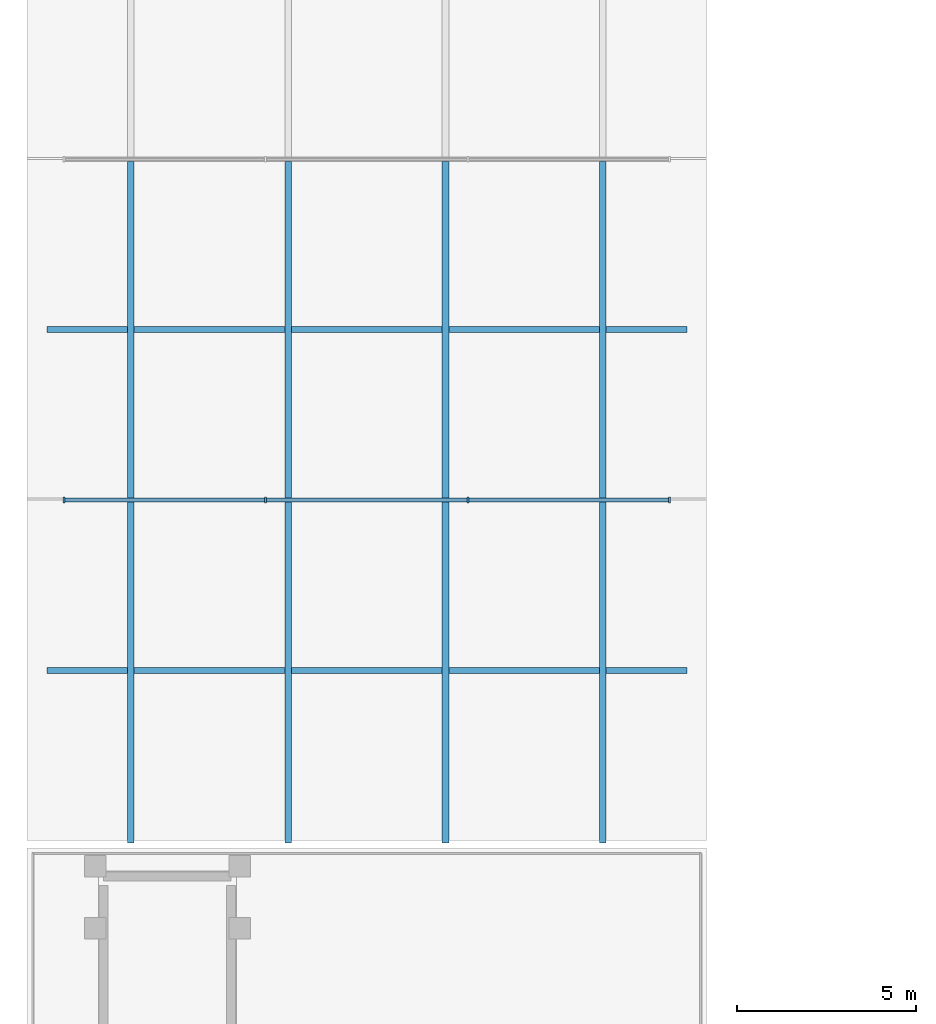
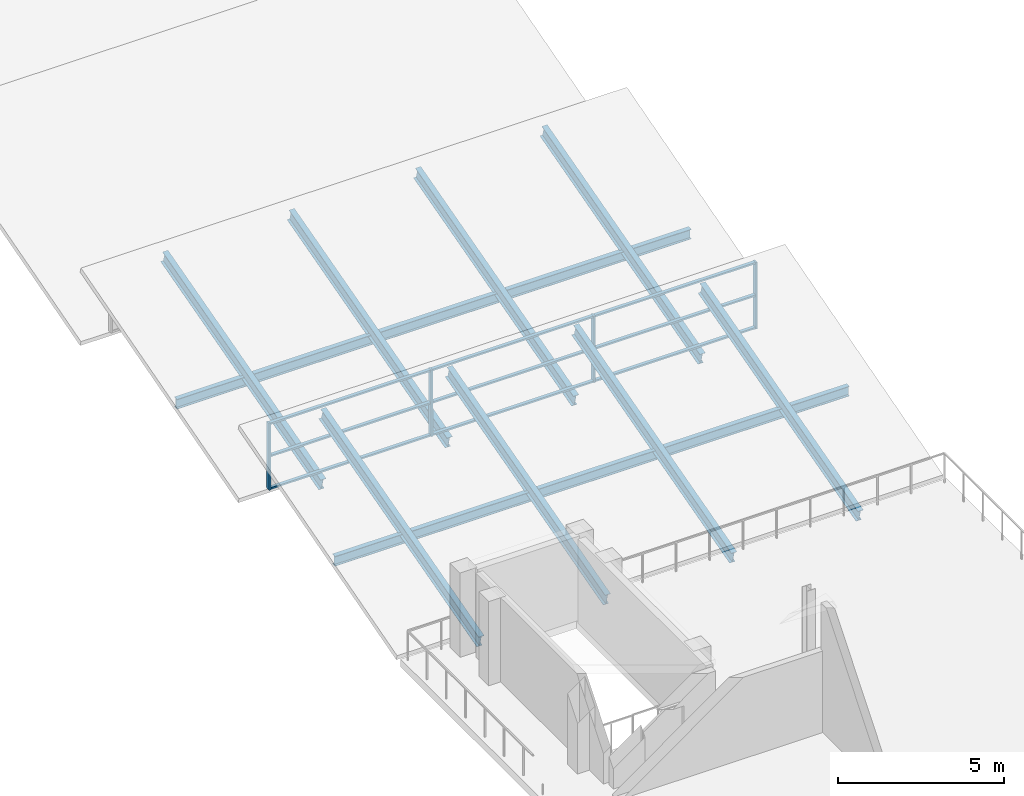
# One storey, part 22 of 53: 23 members, 1 element without a shape of its own.
"""IFC4 building model written with IfcOpenShell, lengths in metres."""

import ifcopenshell
import ifcopenshell.guid

model = None  # the IFC model being written
_history = None  # IfcOwnerHistory: only IFC2X3 demands one
_inside = {}  # id of a spatial element -> (the spatial element, [elements in it])
_under = {}  # id of a project, library or spatial element -> (it, [spatial elements below it])
_declared = {}  # id of a project -> (the project, [libraries it declares])
_typed = {}  # id of a type object -> (the type object, [elements of that type])
_made_of = {}  # id of a material, layer set ... -> (it, [elements and type objects made of it])


def new_model(schema):
    """Start an empty IFC model of exactly this schema.

    Asked for "IFC4X3", IfcOpenShell would pick the latest addendum, in which some entities
    have other attributes; the version numbers below select the first issue.
    IFC2X3 requires an IfcOwnerHistory on every rooted entity: one is made here for all.
    """
    global model, _history
    if schema == "IFC4X3":
        model = ifcopenshell.file(schema_version=(4, 3, 0, 0))
    else:
        model = ifcopenshell.file(schema=schema)
    _inside.clear()
    _under.clear()
    _declared.clear()
    _typed.clear()
    _made_of.clear()
    _history = None
    if model.schema == "IFC2X3":
        org = make("IfcOrganization", Name="unknown")
        user = make(
            "IfcPersonAndOrganization",
            ThePerson=make("IfcPerson", FamilyName="unknown"),
            TheOrganization=org,
        )
        app = make(
            "IfcApplication",
            ApplicationDeveloper=org,
            Version="unknown",
            ApplicationFullName="unknown",
            ApplicationIdentifier="unknown",
        )
        _history = make(
            "IfcOwnerHistory",
            OwningUser=user,
            OwningApplication=app,
            ChangeAction="ADDED",
            CreationDate=0,
        )
    return model


def make(cls, **values):
    """One entity of the class cls with the attributes given. An attribute that is None is left unset."""
    return model.create_entity(
        cls, **{name: value for name, value in values.items() if value is not None}
    )


def rooted(cls, **values):
    """An entity with a GlobalId (a new one), such as an element, a storey or a relation."""
    return make(cls, GlobalId=ifcopenshell.guid.new(), OwnerHistory=_history, **values)


def si_unit(unit_type, name, prefix=None):
    """IfcSIUnit, for example si_unit("LENGTHUNIT", "METRE", prefix="MILLI")."""
    return make("IfcSIUnit", UnitType=unit_type, Prefix=prefix, Name=name)


def assignment(units):
    """IfcUnitAssignment: the units of a project."""
    return None if units is None else make("IfcUnitAssignment", Units=units)


def point(xyz):
    """IfcCartesianPoint."""
    return None if xyz is None else make("IfcCartesianPoint", Coordinates=xyz)


def direction(xyz):
    """IfcDirection."""
    return None if xyz is None else make("IfcDirection", DirectionRatios=xyz)


def frame(location, z_axis=None, x_axis=None):
    """IfcAxis2Placement3D, a coordinate frame: its origin and axes. An axis left out is left unset."""
    return make(
        "IfcAxis2Placement3D",
        Location=point(location),
        Axis=direction(z_axis),
        RefDirection=direction(x_axis),
    )


def frame_2d(location, x_axis=None):
    """IfcAxis2Placement2D, a coordinate frame in the plane: its origin and x axis."""
    return make(
        "IfcAxis2Placement2D", Location=point(location), RefDirection=direction(x_axis)
    )


def origin():
    """The frame at (0, 0, 0) with its axes left unset."""
    return frame((0.0, 0.0, 0.0))


def origin_2d():
    """The frame at (0, 0) in the plane with its x axis left unset."""
    return frame_2d((0.0, 0.0))


def place(relative_to, where):
    """IfcLocalPlacement: puts the frame where relative to a parent placement (None: the world)."""
    return make(
        "IfcLocalPlacement", PlacementRelTo=relative_to, RelativePlacement=where
    )


def context(
    kind, dimensions, precision=None, world=None, true_north=None, identifier=None
):
    """IfcGeometricRepresentationContext, for example the 3D "Model" context."""
    return make(
        "IfcGeometricRepresentationContext",
        ContextIdentifier=identifier,
        ContextType=kind,
        CoordinateSpaceDimension=dimensions,
        Precision=precision,
        WorldCoordinateSystem=world,
        TrueNorth=true_north,
    )


def subcontext(parent, identifier, kind, view, scale=None):
    """IfcGeometricRepresentationSubContext, for example "Body" below "Model"."""
    return make(
        "IfcGeometricRepresentationSubContext",
        ContextIdentifier=identifier,
        ContextType=kind,
        ParentContext=parent,
        TargetScale=scale,
        TargetView=view,
    )


def project(units=None, contexts=None):
    """IfcProject with its units and contexts."""
    return rooted(
        "IfcProject",
        Name="project",
        RepresentationContexts=contexts,
        UnitsInContext=assignment(units),
    )


def spatial(cls, under=None, at=None, **own):
    """A site, building, storey or space (cls), placed at a placement, below another one or the project."""
    s = rooted(cls, ObjectPlacement=at, **own)
    if under is not None:
        _under.setdefault(under.id(), (under, []))[1].append(s)
    return s


def profile(cls, at=None, kind="AREA", **sizes):
    """A parametric profile (cls). Its sizes go by their IFC names, for example OverallWidth=200.0."""
    return make(cls, ProfileType=kind, Position=at, **sizes)


def rectangle(**sizes):
    """IfcRectangleProfileDef."""
    return profile("IfcRectangleProfileDef", **sizes)


def i_section(**sizes):
    """IfcIShapeProfileDef."""
    return profile("IfcIShapeProfileDef", **sizes)


def extrude(swept, where, along, depth):
    """IfcExtrudedAreaSolid: the profile swept, set in the frame where, extruded along a direction by depth."""
    return make(
        "IfcExtrudedAreaSolid",
        SweptArea=swept,
        Position=where,
        ExtrudedDirection=direction(along),
        Depth=depth,
    )


def shape(context_of_items, identifier, shape_type, items):
    """IfcShapeRepresentation: the items that make up one representation, for example the "Body"."""
    return make(
        "IfcShapeRepresentation",
        ContextOfItems=context_of_items,
        RepresentationIdentifier=identifier,
        RepresentationType=shape_type,
        Items=items,
    )


def material(Name=None, Category=None):
    """IfcMaterial."""
    return make("IfcMaterial", Name=Name, Category=Category)


def material_profile(
    of_material, cross_section, Name=None, Category=None, Priority=None
):
    """IfcMaterialProfile: a cross section and its material."""
    return make(
        "IfcMaterialProfile",
        Name=Name,
        Material=of_material,
        Profile=cross_section,
        Priority=Priority,
        Category=Category,
    )


def profile_set(profiles, Name=None, composite=None):
    """IfcMaterialProfileSet."""
    return make(
        "IfcMaterialProfileSet",
        Name=Name,
        MaterialProfiles=profiles,
        CompositeProfile=composite,
    )


def made_of(thing, what):
    """Note that an element or type object is made of a material, layer set ...; save() writes the relation."""
    if what is not None:
        _made_of.setdefault(what.id(), (what, []))[1].append(thing)
    return thing


def type_object(cls, material=None, **own):
    """A type object (cls), such as IfcWallType, which elements share."""
    return made_of(rooted(cls, **own), material)


def element(
    cls,
    number,
    at=None,
    inside=None,
    cuts=None,
    type_object=None,
    material=None,
    context=None,
    identifier="Body",
    shape_type=None,
    held_by="IfcProductDefinitionShape",
    body=None,
    shapes=None,
    **own,
):
    """One element of the class cls, such as IfcWall. Its Tag is "e" and its number.

    at: its placement. inside: the storey or other place that contains it. cuts: it is an
    opening in that element (IfcRelVoidsElement). A single representation is given by context,
    identifier, shape_type and body (its items); several are given by shapes. held_by: the class
    of the entity that holds the representations. save() writes the other relations.
    """
    e = rooted(cls, Tag="e%d" % number, ObjectPlacement=at, **own)
    if body is not None:
        shapes = [shape(context, identifier, shape_type, body)]
    if shapes is not None:
        e.Representation = make(held_by, Representations=shapes)
    if inside is not None:
        _inside.setdefault(inside.id(), (inside, []))[1].append(e)
    if cuts is not None:
        rooted(
            "IfcRelVoidsElement", RelatingBuildingElement=cuts, RelatedOpeningElement=e
        )
    if type_object is not None:
        _typed.setdefault(type_object.id(), (type_object, []))[1].append(e)
    return made_of(e, material)


def aggregate(whole, parts):
    """IfcRelAggregates: a whole, such as a stair, and the parts it consists of."""
    return rooted("IfcRelAggregates", RelatingObject=whole, RelatedObjects=parts)


def save(model, path):
    """Write the relations noted so far, then the file.

    IfcRelAggregates (storeys below a building ...), IfcRelContainedInSpatialStructure (elements
    in a storey), IfcRelDefinesByType, IfcRelAssociatesMaterial and IfcRelDeclares: one each for
    every whole, place, type object, material and project.
    """
    for whole, parts in _under.values():
        aggregate(whole, parts)
    for where, things in _inside.values():
        rooted(
            "IfcRelContainedInSpatialStructure",
            RelatedElements=things,
            RelatingStructure=where,
        )
    for kind, things in _typed.values():
        rooted("IfcRelDefinesByType", RelatedObjects=things, RelatingType=kind)
    for what, things in _made_of.values():
        rooted("IfcRelAssociatesMaterial", RelatedObjects=things, RelatingMaterial=what)
    for by, libraries in _declared.values():
        rooted("IfcRelDeclares", RelatingContext=by, RelatedDefinitions=libraries)
    model.write(path)


model = new_model("IFC4")

# Units and contexts
model_context = context("Model", 3, precision=1e-05, world=origin(), true_north=direction((0.0, 1.0)))
body_context = subcontext(model_context, "Body", "Model", "MODEL_VIEW")
ifc_project = project(units=[si_unit("LENGTHUNIT", "METRE"), si_unit("AREAUNIT", "SQUARE_METRE"), si_unit("VOLUMEUNIT", "CUBIC_METRE"), si_unit("PLANEANGLEUNIT", "RADIAN"), si_unit("MASSUNIT", "GRAM", prefix="KILO")], contexts=[model_context])

# Site, building, storey
site_placement = place(None, origin())
site = spatial("IfcSite", under=ifc_project, at=site_placement, CompositionType="ELEMENT")
building_placement = place(site_placement, origin())
building = spatial("IfcBuilding", under=site, at=building_placement, Name="Saryqyr Civic Hall", CompositionType="ELEMENT")
storey_placement = place(building_placement, frame((0.0, 0.0, 21.300048828125)))
storey = spatial("IfcBuildingStorey", under=building, at=storey_placement, Name="L05", CompositionType="ELEMENT", Elevation=21.300048828125)

# Curtain wall, members
ifc_material_1 = material(Name="Anodised aluminium and triple low-E glass", Category="aluminium")
curtain_wall_type = type_object("IfcCurtainWallType", Name="ENV-CW-STD-58", PredefinedType="NOTDEFINED", material=ifc_material_1)
curtain_wall_placement = place(storey_placement, origin())
curtain_wall = element("IfcCurtainWall", 1, at=curtain_wall_placement, inside=storey, type_object=curtain_wall_type, Name="Curtain wall V3-SAW-CW-1", PredefinedType="NOTDEFINED")
ifc_material_2 = material(Name="Anodised aluminium", Category="aluminium")
ifc_material_profile_1 = material_profile(ifc_material_2, rectangle(XDim=0.06005859375, YDim=0.159912109375, at=origin_2d()), Name="ALU MULLION 60x160")
ifc_profile_set_1 = profile_set([ifc_material_profile_1], Name="Anodised aluminium")
member_type_1 = type_object("IfcMemberType", Name="ENV-CW-MUL-180", PredefinedType="MULLION", material=ifc_profile_set_1)
member_1_placement = place(storey_placement, frame((25.570068359375, 127.1298828125, 0.0), z_axis=(0.0, 0.0, 1.0), x_axis=(-1.0, 0.0, 0.0)))
member_1 = element("IfcMember", 2, at=member_1_placement, type_object=member_type_1, Name="CW-58 mullion 1", PredefinedType="MULLION", context=body_context, shape_type="SweptSolid", body=[
    extrude(rectangle(XDim=0.06005859375, YDim=0.159912109375, at=origin_2d()), origin(), (0.0, 0.0, 1.0), 2.449951171875),
])
member_2_placement = place(storey_placement, frame((19.933349609375, 127.1298828125, 0.0), z_axis=(0.0, 0.0, 1.0), x_axis=(-1.0, 0.0, 0.0)))
member_2 = element("IfcMember", 3, at=member_2_placement, type_object=member_type_1, Name="CW-58 mullion 2", PredefinedType="MULLION", context=body_context, shape_type="SweptSolid", body=[
    extrude(rectangle(XDim=0.06005859375, YDim=0.159912109375, at=origin_2d()), origin(), (0.0, 0.0, 1.0), 2.449951171875),
])
member_3_placement = place(storey_placement, frame((14.2666015625, 127.1298828125, 0.0), z_axis=(0.0, 0.0, 1.0), x_axis=(-1.0, 0.0, 0.0)))
member_3 = element("IfcMember", 4, at=member_3_placement, type_object=member_type_1, Name="CW-58 mullion 3", PredefinedType="MULLION", context=body_context, shape_type="SweptSolid", body=[
    extrude(rectangle(XDim=0.06005859375, YDim=0.159912109375, at=origin_2d()), origin(), (0.0, 0.0, 1.0), 2.449951171875),
])
member_4_placement = place(storey_placement, frame((8.6298828125, 127.1298828125, 0.0), z_axis=(0.0, 0.0, 1.0), x_axis=(-1.0, 0.0, 0.0)))
member_4 = element("IfcMember", 5, at=member_4_placement, type_object=member_type_1, Name="CW-58 mullion 4", PredefinedType="MULLION", context=body_context, shape_type="SweptSolid", body=[
    extrude(rectangle(XDim=0.06005859375, YDim=0.159912109375, at=origin_2d()), origin(), (0.0, 0.0, 1.0), 2.449951171875),
])
ifc_material_profile_2 = material_profile(ifc_material_2, rectangle(XDim=0.1201171875, YDim=0.06005859375, at=origin_2d()), Name="ALU TRANSOM 120x60")
ifc_profile_set_2 = profile_set([ifc_material_profile_2], Name="Anodised aluminium")
member_type_2 = type_object("IfcMemberType", Name="ENV-CW-TRN-150", PredefinedType="USERDEFINED", material=ifc_profile_set_2)
member_5_placement = place(storey_placement, frame((25.5400390625, 127.1298828125, 0.030029296875), z_axis=(-1.0, 0.0, 0.0), x_axis=(0.0, -1.0, 0.0)))
member_5 = element("IfcMember", 6, at=member_5_placement, type_object=member_type_2, Name="CW-58 transom 1.1", ObjectType="TRANSOM", PredefinedType="USERDEFINED", context=body_context, shape_type="SweptSolid", body=[
    extrude(rectangle(XDim=0.1201171875, YDim=0.06005859375, at=origin_2d()), origin(), (0.0, 0.0, 1.0), 5.57666015625),
])
member_6_placement = place(storey_placement, frame((25.5400390625, 127.1298828125, 1.224853515625), z_axis=(-1.0, 0.0, 0.0), x_axis=(0.0, -1.0, 0.0)))
member_6 = element("IfcMember", 7, at=member_6_placement, type_object=member_type_2, Name="CW-58 transom 1.2", ObjectType="TRANSOM", PredefinedType="USERDEFINED", context=body_context, shape_type="SweptSolid", body=[
    extrude(rectangle(XDim=0.1201171875, YDim=0.06005859375, at=origin_2d()), origin(), (0.0, 0.0, 1.0), 5.57666015625),
])
member_7_placement = place(storey_placement, frame((25.5400390625, 127.1298828125, 2.419921875), z_axis=(-1.0, 0.0, 0.0), x_axis=(0.0, -1.0, 0.0)))
member_7 = element("IfcMember", 8, at=member_7_placement, type_object=member_type_2, Name="CW-58 transom 1.3", ObjectType="TRANSOM", PredefinedType="USERDEFINED", context=body_context, shape_type="SweptSolid", body=[
    extrude(rectangle(XDim=0.1201171875, YDim=0.06005859375, at=origin_2d()), origin(), (0.0, 0.0, 1.0), 5.57666015625),
])
member_8_placement = place(storey_placement, frame((19.9033203125, 127.1298828125, 0.030029296875), z_axis=(-1.0, 0.0, 0.0), x_axis=(0.0, -1.0, 0.0)))
member_8 = element("IfcMember", 9, at=member_8_placement, type_object=member_type_2, Name="CW-58 transom 2.1", ObjectType="TRANSOM", PredefinedType="USERDEFINED", context=body_context, shape_type="SweptSolid", body=[
    extrude(rectangle(XDim=0.1201171875, YDim=0.06005859375, at=origin_2d()), origin(), (0.0, 0.0, 1.0), 5.606689453125),
])
member_9_placement = place(storey_placement, frame((19.9033203125, 127.1298828125, 1.224853515625), z_axis=(-1.0, 0.0, 0.0), x_axis=(0.0, -1.0, 0.0)))
member_9 = element("IfcMember", 10, at=member_9_placement, type_object=member_type_2, Name="CW-58 transom 2.2", ObjectType="TRANSOM", PredefinedType="USERDEFINED", context=body_context, shape_type="SweptSolid", body=[
    extrude(rectangle(XDim=0.1201171875, YDim=0.06005859375, at=origin_2d()), origin(), (0.0, 0.0, 1.0), 5.606689453125),
])
member_10_placement = place(storey_placement, frame((19.9033203125, 127.1298828125, 2.419921875), z_axis=(-1.0, 0.0, 0.0), x_axis=(0.0, -1.0, 0.0)))
member_10 = element("IfcMember", 11, at=member_10_placement, type_object=member_type_2, Name="CW-58 transom 2.3", ObjectType="TRANSOM", PredefinedType="USERDEFINED", context=body_context, shape_type="SweptSolid", body=[
    extrude(rectangle(XDim=0.1201171875, YDim=0.06005859375, at=origin_2d()), origin(), (0.0, 0.0, 1.0), 5.606689453125),
])
member_11_placement = place(storey_placement, frame((14.236572265625, 127.1298828125, 0.030029296875), z_axis=(-1.0, 0.0, 0.0), x_axis=(0.0, -1.0, 0.0)))
member_11 = element("IfcMember", 12, at=member_11_placement, type_object=member_type_2, Name="CW-58 transom 3.1", ObjectType="TRANSOM", PredefinedType="USERDEFINED", context=body_context, shape_type="SweptSolid", body=[
    extrude(rectangle(XDim=0.1201171875, YDim=0.06005859375, at=origin_2d()), origin(), (0.0, 0.0, 1.0), 5.57666015625),
])
member_12_placement = place(storey_placement, frame((14.236572265625, 127.1298828125, 1.224853515625), z_axis=(-1.0, 0.0, 0.0), x_axis=(0.0, -1.0, 0.0)))
member_12 = element("IfcMember", 13, at=member_12_placement, type_object=member_type_2, Name="CW-58 transom 3.2", ObjectType="TRANSOM", PredefinedType="USERDEFINED", context=body_context, shape_type="SweptSolid", body=[
    extrude(rectangle(XDim=0.1201171875, YDim=0.06005859375, at=origin_2d()), origin(), (0.0, 0.0, 1.0), 5.57666015625),
])
member_13_placement = place(storey_placement, frame((14.236572265625, 127.1298828125, 2.419921875), z_axis=(-1.0, 0.0, 0.0), x_axis=(0.0, -1.0, 0.0)))
member_13 = element("IfcMember", 14, at=member_13_placement, type_object=member_type_2, Name="CW-58 transom 3.3", ObjectType="TRANSOM", PredefinedType="USERDEFINED", context=body_context, shape_type="SweptSolid", body=[
    extrude(rectangle(XDim=0.1201171875, YDim=0.06005859375, at=origin_2d()), origin(), (0.0, 0.0, 1.0), 5.57666015625),
])
aggregate(curtain_wall, [member_1, member_2, member_3, member_4, member_5, member_6, member_7, member_8, member_9, member_10, member_11, member_12, member_13])

# Members
ifc_material_3 = material(Name="Steel S355", Category="steel")
ifc_material_profile_3 = material_profile(ifc_material_3, i_section(OverallWidth=0.169921875, OverallDepth=0.360107421875, WebThickness=0.008056640625, FlangeThickness=0.0126953125, at=origin_2d()), Name="IPE 360")
ifc_profile_set_3 = profile_set([ifc_material_profile_3], Name="Steel S355")
member_type_3 = type_object("IfcMemberType", Name="STR-PUR-IPE360", PredefinedType="PURLIN", material=ifc_profile_set_3)
for number, where, z_axis, x_axis, name in (
    (15, (8.14990234375, 122.364990234375, 0.43994140625), (1.0, 0.0, 0.0), (0.0, 1.0, 0.0), "Sawtooth roof purlin bay 1"),
    (16, (8.14990234375, 131.89501953125, 0.43994140625), (1.0, 0.0, 0.0), (0.0, 1.0, 0.0), "Sawtooth roof purlin bay 2"),
):
    element("IfcMember", number, at=place(storey_placement, frame(where, z_axis=z_axis, x_axis=x_axis)), inside=storey, type_object=member_type_3, Name=name, PredefinedType="PURLIN", context=body_context, shape_type="SweptSolid", body=[
        extrude(i_section(OverallWidth=0.169921875, OverallDepth=0.360107421875, WebThickness=0.008056640625, FlangeThickness=0.0126953125, at=origin_2d()), origin(), (0.0, 0.0, 1.0), 17.900146484375),
    ])
ifc_material_profile_4 = material_profile(ifc_material_3, i_section(OverallWidth=0.18994140625, OverallDepth=0.449951171875, WebThickness=0.009521484375, FlangeThickness=0.0146484375, at=origin_2d()), Name="IPE 450")
ifc_profile_set_4 = profile_set([ifc_material_profile_4], Name="Steel S355")
member_type_4 = type_object("IfcMemberType", Name="STR-RAF-IPE450", PredefinedType="RAFTER", material=ifc_profile_set_4)
for number, where, z_axis, x_axis, name in (
    (17, (10.5, 117.60009765625, -0.47998046875), (0.0, 0.964226546664, 0.265079547888), (-1.0, 0.0, 0.0), "Sawtooth roof rafter bay 1.1"),
    (18, (14.89990234375, 117.60009765625, -0.47998046875), (0.0, 0.964226546664, 0.265079547888), (-1.0, 0.0, 0.0), "Sawtooth roof rafter bay 1.2"),
    (19, (19.300048828125, 117.60009765625, -0.47998046875), (0.0, 0.964226546664, 0.265079547888), (-1.0, 0.0, 0.0), "Sawtooth roof rafter bay 1.3"),
    (20, (23.699951171875, 117.60009765625, -0.47998046875), (0.0, 0.964226546664, 0.265079547888), (-1.0, 0.0, 0.0), "Sawtooth roof rafter bay 1.4"),
):
    element("IfcMember", number, at=place(storey_placement, frame(where, z_axis=z_axis, x_axis=x_axis)), inside=storey, type_object=member_type_4, Name=name, PredefinedType="RAFTER", context=body_context, shape_type="SweptSolid", body=[
        extrude(i_section(OverallWidth=0.18994140625, OverallDepth=0.449951171875, WebThickness=0.009521484375, FlangeThickness=0.0146484375, at=origin_2d()), origin(), (0.0, 0.0, 1.0), 9.88330078125),
    ])
for number, where, z_axis, x_axis, name in (
    (21, (10.5, 127.1298828125, -0.47998046875), (0.0, 0.964228282357, 0.265073234225), (-1.0, 0.0, 0.0), "Sawtooth roof rafter bay 2.1"),
    (22, (14.89990234375, 127.1298828125, -0.47998046875), (0.0, 0.964228282357, 0.265073234225), (-1.0, 0.0, 0.0), "Sawtooth roof rafter bay 2.2"),
    (23, (19.300048828125, 127.1298828125, -0.47998046875), (0.0, 0.964228282357, 0.265073234225), (-1.0, 0.0, 0.0), "Sawtooth roof rafter bay 2.3"),
    (24, (23.699951171875, 127.1298828125, -0.47998046875), (0.0, 0.964228282357, 0.265073234225), (-1.0, 0.0, 0.0), "Sawtooth roof rafter bay 2.4"),
):
    element("IfcMember", number, at=place(storey_placement, frame(where, z_axis=z_axis, x_axis=x_axis)), inside=storey, type_object=member_type_4, Name=name, PredefinedType="RAFTER", context=body_context, shape_type="SweptSolid", body=[
        extrude(i_section(OverallWidth=0.18994140625, OverallDepth=0.449951171875, WebThickness=0.009521484375, FlangeThickness=0.0146484375, at=origin_2d()), origin(), (0.0, 0.0, 1.0), 9.883544921875),
    ])

save(model, "model.ifc")
